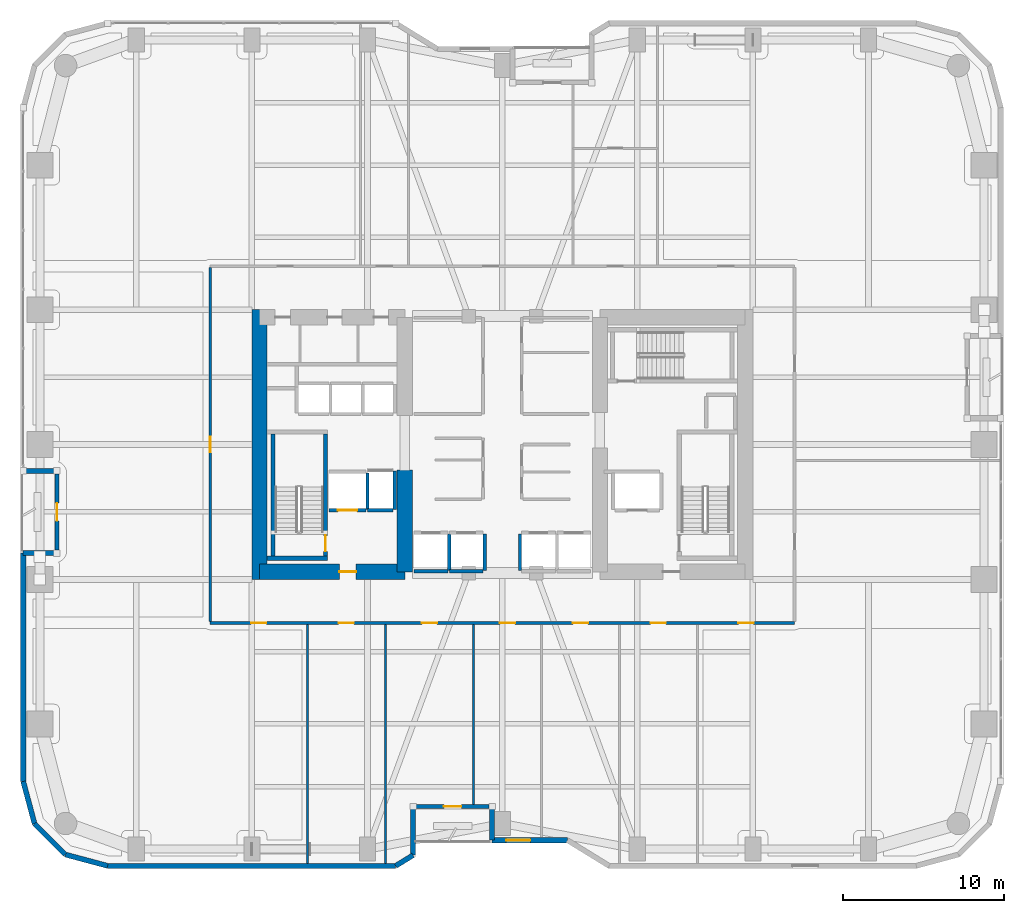
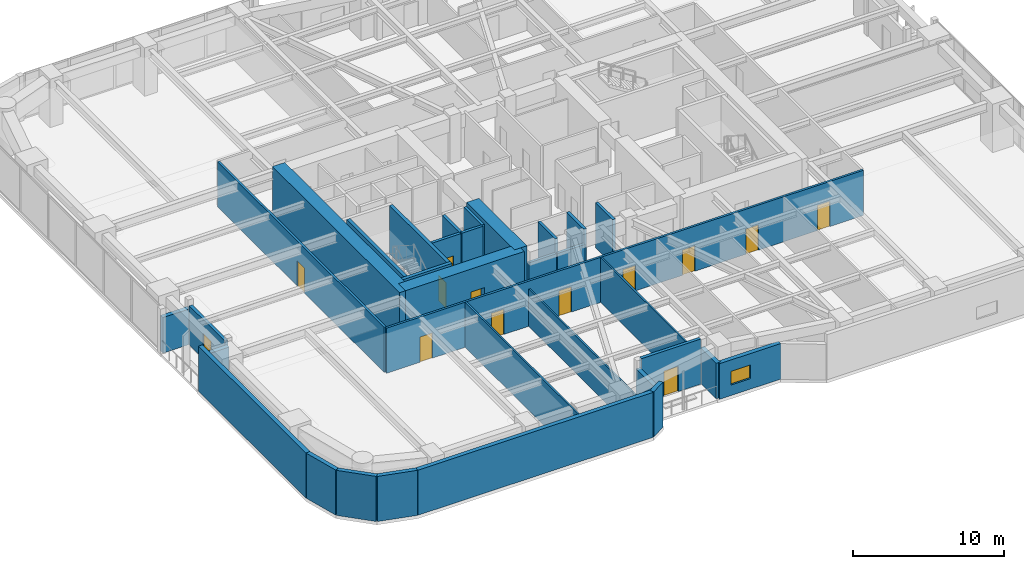
# One storey, part 22 of 29: 33 walls, 13 doors, 1 window, 14 openings.
"""IFC4 building model written with IfcOpenShell, lengths in metres."""

from ifc_helpers import new_model, si_unit, direction, frame, frame_2d, origin, place, context, subcontext, project, spatial, rectangle, extrude, material, layer, layer_set, type_object, element, fill, save


model = new_model("IFC4")

# Units and contexts
model_context = context("Model", 3, precision=1e-05, world=origin(), true_north=direction((0.0, 1.0)))
body_context = subcontext(model_context, "Body", "Model", "MODEL_VIEW")
ifc_project = project(units=[si_unit("LENGTHUNIT", "METRE"), si_unit("AREAUNIT", "SQUARE_METRE"), si_unit("VOLUMEUNIT", "CUBIC_METRE"), si_unit("PLANEANGLEUNIT", "RADIAN"), si_unit("MASSUNIT", "GRAM", prefix="KILO")], contexts=[model_context])

# Site, building, storey
site_placement = place(None, origin())
site = spatial("IfcSite", under=ifc_project, at=site_placement, CompositionType="ELEMENT")
building_placement = place(site_placement, origin())
building = spatial("IfcBuilding", under=site, at=building_placement, Name="Kiyonajd Concourse Tower", CompositionType="ELEMENT")
storey_placement = place(building_placement, frame((0.0, 0.0, 52.800048828125)))
storey = spatial("IfcBuildingStorey", under=building, at=storey_placement, Name="L14", CompositionType="ELEMENT", Elevation=52.800048828125)

# Walls
ifc_material_1 = material(Name="Concrete C80/95", Category="concrete")
ifc_layer_1 = layer(ifc_material_1, 0.949951171875)
ifc_layer_set_1 = layer_set([ifc_layer_1], Name="Concrete C80/95")
wall_type_1 = type_object("IfcWallType", Name="WL-CORE-950", PredefinedType="SHEAR", material=ifc_layer_set_1)
wall_1_placement = place(storey_placement, frame((32.875, 27.60009765625, 0.0), z_axis=(0.0, 0.0, 1.0), x_axis=(0.0, 1.0, 0.0)))
element("IfcWall", 1, at=wall_1_placement, inside=storey, type_object=wall_type_1, Name="L14 West Core Outer Shear Wall", PredefinedType="SHEAR", context=body_context, shape_type="SweptSolid", body=[
    extrude(rectangle(XDim=16.7998046875, YDim=0.949951171875, at=frame_2d((8.39990234375, 0.0))), origin(), (0.0, 0.0, 1.0), 3.89990234375),
])
wall_2_placement = place(storey_placement, frame((41.925048828125, 28.074951171875, 0.0), z_axis=(0.0, 0.0, 1.0), x_axis=(0.0, 1.0, 0.0)))
element("IfcWall", 2, at=wall_2_placement, inside=storey, type_object=wall_type_1, Name="L14 West Core Inner South Shear Wall", PredefinedType="SHEAR", context=body_context, shape_type="SweptSolid", body=[
    extrude(rectangle(XDim=6.324951171875, YDim=0.949951171875, at=frame_2d((3.16259765625, 0.0))), origin(), (0.0, 0.0, 1.0), 3.89990234375),
])

# Wall, opening, door
wall_3_placement = place(storey_placement, frame((32.875, 28.074951171875, 0.0), z_axis=(0.0, 0.0, 1.0), x_axis=(1.0, 0.0, 0.0)))
wall_3 = element("IfcWall", 3, at=wall_3_placement, inside=storey, type_object=wall_type_1, Name="L14 West Core South Shear Wall", PredefinedType="SHEAR", context=body_context, shape_type="SweptSolid", body=[
    extrude(rectangle(XDim=9.050048828125, YDim=0.949951171875, at=frame_2d((4.52490234375, 0.0))), origin(), (0.0, 0.0, 1.0), 3.89990234375),
])
opening_1_placement = place(wall_3_placement, frame((4.97509765625, 0.0, 0.0)))
opening_1 = element("IfcOpeningElement", 4, at=opening_1_placement, cuts=wall_3, Name="Opening DF5", PredefinedType="OPENING", context=body_context, shape_type="SweptSolid", body=[
    extrude(rectangle(XDim=1.050048828125, YDim=2.0400390625, at=frame_2d((0.52490234375, 1.02001953125))), frame((0.0, 0.48486328125, 0.0), z_axis=(0.0, -1.0, 0.0), x_axis=(1.0, 0.0, 0.0)), (0.0, 0.0, 1.0), 0.969970703125),
])
ifc_material_2 = material(Name="Brushed Stainless Steel Cab Assembly", Category="steel")
door_type_1 = type_object("IfcDoorType", Name="DR-FD45-1050", OperationType="NOTDEFINED", PredefinedType="DOOR", material=ifc_material_2)
door_1_placement = place(opening_1_placement, origin())
door_1 = element("IfcDoor", 5, at=door_1_placement, inside=storey, type_object=door_type_1, Name="L14 Firefighting Lift Lobby W Smoke Door", OperationType="SINGLE_SWING_LEFT", OverallHeight=2.0400390625, OverallWidth=1.050048828125, PredefinedType="DOOR", context=body_context, shape_type="SweptSolid", body=[
    extrude(rectangle(XDim=1.050048828125, YDim=2.0400390625, at=frame_2d((0.52490234375, 1.02001953125))), frame((0.0, 0.02490234375, 0.0), z_axis=(0.0, -1.0, 0.0), x_axis=(1.0, 0.0, 0.0)), (0.0, 0.0, 1.0), 0.050048828125),
])
fill(opening_1, door_1)

# Walls
ifc_material_3 = material(Name="Precast concrete C50/60", Category="concrete")
ifc_layer_2 = layer(ifc_material_3, 0.320068359375)
ifc_layer_set_2 = layer_set([ifc_layer_2], Name="Precast concrete C50/60")
wall_type_2 = type_object("IfcWallType", Name="WL-EXT-320", PredefinedType="SOLIDWALL", material=ifc_layer_set_2)
wall_4_placement = place(storey_placement, frame((18.866455078125, 12.3828125, 0.0), z_axis=(0.0, 0.0, 1.0), x_axis=(-0.25869736047, 0.965958423373, 0.0)))
element("IfcWall", 6, at=wall_4_placement, inside=storey, type_object=wall_type_2, Name="L14 Exterior Concrete Frame Wall 00", PredefinedType="SOLIDWALL", context=body_context, shape_type="SweptSolid", body=[
    extrude(rectangle(XDim=2.731201171875, YDim=0.320068359375, at=frame_2d((1.36572265625, 0.0))), origin(), (0.0, 0.0, 1.0), 3.639892578125),
])
wall_5_placement = place(storey_placement, frame((18.159912109375, 15.02099609375, 0.0), z_axis=(0.0, 0.0, 1.0), x_axis=(0.0, 1.0, 0.0)))
element("IfcWall", 7, at=wall_5_placement, inside=storey, type_object=wall_type_2, Name="L14 Exterior Concrete Frame Wall 01", PredefinedType="SOLIDWALL", context=body_context, shape_type="SweptSolid", body=[
    extrude(rectangle(XDim=14.218994140625, YDim=0.320068359375, at=frame_2d((7.109375, 0.0))), origin(), (0.0, 0.0, 1.0), 3.639892578125),
])
for number, where, z_axis, x_axis, name in (
    (8, (18.159912109375, 29.239990234375, 0.0), (0.0, 0.0, 1.0), (1.0, 0.0, 0.0), "L14 Exterior Concrete Frame Wall 02"),
    (9, (20.260009765625, 34.360107421875, 0.0), (0.0, 0.0, 1.0), (-1.0, 0.0, 0.0), "L14 Exterior Concrete Frame Wall 04"),
):
    element("IfcWall", number, at=place(storey_placement, frame(where, z_axis=z_axis, x_axis=x_axis)), inside=storey, type_object=wall_type_2, Name=name, PredefinedType="SOLIDWALL", context=body_context, shape_type="SweptSolid", body=[
        extrude(rectangle(XDim=2.10009765625, YDim=0.320068359375, at=frame_2d((1.050048828125, 0.0))), origin(), (0.0, 0.0, 1.0), 2.875),
    ])

# Wall, opening, window
wall_6_placement = place(storey_placement, frame((52.04541015625, 11.360107421875, 0.0), z_axis=(0.0, 0.0, 1.0), x_axis=(-1.0, 0.0, 0.0)))
wall_6 = element("IfcWall", 10, at=wall_6_placement, inside=storey, type_object=wall_type_2, Name="L14 Exterior Concrete Frame Wall 30", PredefinedType="SOLIDWALL", context=body_context, shape_type="SweptSolid", body=[
    extrude(rectangle(XDim=4.685302734375, YDim=0.320068359375, at=frame_2d((2.3427734375, 0.0))), origin(), (0.0, 0.0, 1.0), 2.875),
])
opening_2_placement = place(wall_6_placement, frame((2.304931640625, 0.0, 0.85009765625)))
opening_2 = element("IfcOpeningElement", 11, at=opening_2_placement, cuts=wall_6, Name="Opening WN2", PredefinedType="OPENING", context=body_context, shape_type="SweptSolid", body=[
    extrude(rectangle(XDim=1.5, YDim=1.10009765625, at=frame_2d((0.75, 0.550048828125))), frame((0.0, 0.169921875, 0.0), z_axis=(0.0, -1.0, 0.0), x_axis=(1.0, 0.0, 0.0)), (0.0, 0.0, 1.0), 0.340087890625),
])
ifc_material_4 = material(Name="Double Low-E Insulated Glass", Category="glass")
window_type = type_object("IfcWindowType", Name="WN-VIS-1500x1100", PartitioningType="SINGLE_PANEL", PredefinedType="WINDOW", material=ifc_material_4)
window_placement = place(opening_2_placement, origin())
window = element("IfcWindow", 12, at=window_placement, inside=storey, type_object=window_type, Name="L14 Modular Facade Vision Window 30", OverallHeight=1.10009765625, OverallWidth=1.5, PartitioningType="SINGLE_PANEL", PredefinedType="WINDOW", context=body_context, shape_type="SweptSolid", body=[
    extrude(rectangle(XDim=1.5, YDim=1.10009765625, at=frame_2d((0.75, 0.550048828125))), frame((0.0, 0.030029296875, 0.0), z_axis=(0.0, -1.0, 0.0), x_axis=(1.0, 0.0, 0.0)), (0.0, 0.0, 1.0), 0.06005859375),
])
fill(opening_2, window)

# Walls
wall_7_placement = place(storey_placement, frame((47.360107421875, 11.360107421875, 0.0), z_axis=(0.0, 0.0, 1.0), x_axis=(0.0, 1.0, 0.0)))
element("IfcWall", 13, at=wall_7_placement, inside=storey, type_object=wall_type_2, Name="L14 Exterior Concrete Frame Wall 31", PredefinedType="SOLIDWALL", context=body_context, shape_type="SweptSolid", body=[
    extrude(rectangle(XDim=2.099853515625, YDim=0.320068359375, at=frame_2d((1.0498046875, 0.0))), origin(), (0.0, 0.0, 1.0), 2.875),
])
wall_8_placement = place(storey_placement, frame((42.43994140625, 13.4599609375, 0.0), z_axis=(0.0, 0.0, 1.0), x_axis=(0.0, -1.0, 0.0)))
element("IfcWall", 14, at=wall_8_placement, inside=storey, type_object=wall_type_2, Name="L14 Exterior Concrete Frame Wall 33", PredefinedType="SOLIDWALL", context=body_context, shape_type="SweptSolid", body=[
    extrude(rectangle(XDim=3.032470703125, YDim=0.320068359375, at=frame_2d((1.51611328125, 0.0))), origin(), (0.0, 0.0, 1.0), 2.875),
])
wall_9_placement = place(storey_placement, frame((42.43994140625, 10.427490234375, 0.0), z_axis=(0.0, 0.0, 1.0), x_axis=(-0.851776724646, -0.523904964045, 0.0)))
element("IfcWall", 15, at=wall_9_placement, inside=storey, type_object=wall_type_2, Name="L14 Exterior Concrete Frame Wall 34", PredefinedType="SOLIDWALL", context=body_context, shape_type="SweptSolid", body=[
    extrude(rectangle(XDim=1.274169921875, YDim=0.320068359375, at=frame_2d((0.63720703125, 0.0))), origin(), (0.0, 0.0, 1.0), 3.639892578125),
])
wall_10_placement = place(storey_placement, frame((41.354736328125, 9.760009765625, 0.0), z_axis=(0.0, 0.0, 1.0), x_axis=(-1.0, 0.0, 0.0)))
element("IfcWall", 16, at=wall_10_placement, inside=storey, type_object=wall_type_2, Name="L14 Exterior Concrete Frame Wall 35", PredefinedType="SOLIDWALL", context=body_context, shape_type="SweptSolid", body=[
    extrude(rectangle(XDim=17.93359375, YDim=0.320068359375, at=frame_2d((8.966796875, 0.0))), origin(), (0.0, 0.0, 1.0), 3.639892578125),
])
wall_11_placement = place(storey_placement, frame((23.421142578125, 9.760009765625, 0.0), z_axis=(0.0, 0.0, 1.0), x_axis=(-0.965964405026, 0.25867502435, 0.0)))
element("IfcWall", 17, at=wall_11_placement, inside=storey, type_object=wall_type_2, Name="L14 Exterior Concrete Frame Wall 36", PredefinedType="SOLIDWALL", context=body_context, shape_type="SweptSolid", body=[
    extrude(rectangle(XDim=2.7314453125, YDim=0.320068359375, at=frame_2d((1.36572265625, 0.0))), origin(), (0.0, 0.0, 1.0), 3.639892578125),
])
wall_12_placement = place(storey_placement, frame((20.78271484375, 10.466552734375, 0.0), z_axis=(0.0, 0.0, 1.0), x_axis=(-0.707106781187, 0.707106781187, 0.0)))
element("IfcWall", 18, at=wall_12_placement, inside=storey, type_object=wall_type_2, Name="L14 Exterior Concrete Frame Wall 37", PredefinedType="SOLIDWALL", context=body_context, shape_type="SweptSolid", body=[
    extrude(rectangle(XDim=2.7099609375, YDim=0.320068359375, at=frame_2d((1.35498046875, 0.0))), origin(), (0.0, 0.0, 1.0), 3.639892578125),
])

# Wall, opening, door
ifc_layer_3 = layer(ifc_material_3, 0.239990234375)
ifc_layer_set_3 = layer_set([ifc_layer_3], Name="Precast concrete C50/60")
wall_type_3 = type_object("IfcWallType", Name="WL-LOG-240", PredefinedType="SOLIDWALL", material=ifc_layer_set_3)
wall_13_placement = place(storey_placement, frame((20.260009765625, 29.43505859375, 0.0), z_axis=(0.0, 0.0, 1.0), x_axis=(0.0, 1.0, 0.0)))
wall_13 = element("IfcWall", 19, at=wall_13_placement, inside=storey, type_object=wall_type_3, Name="L14 Recessed Loggia Thermal Wall LOG-W", PredefinedType="SOLIDWALL", context=body_context, shape_type="SweptSolid", body=[
    extrude(rectangle(XDim=4.72998046875, YDim=0.239990234375, at=frame_2d((2.364990234375, 0.0))), origin(), (0.0, 0.0, 1.0), 3.161865234375),
])
opening_3_placement = place(wall_13_placement, frame((1.81494140625, 0.0, 0.0)))
opening_3 = element("IfcOpeningElement", 20, at=opening_3_placement, cuts=wall_13, Name="Opening DL2", PredefinedType="OPENING", context=body_context, shape_type="SweptSolid", body=[
    extrude(rectangle(XDim=1.10009765625, YDim=2.0400390625, at=frame_2d((0.550048828125, 1.02001953125))), frame((0.0, 0.1298828125, 0.0), z_axis=(0.0, -1.0, 0.0), x_axis=(1.0, 0.0, 0.0)), (0.0, 0.0, 1.0), 0.260009765625),
])
ifc_material_5 = material(Name="Thermally Broken Anodised Aluminium", Category="aluminium")
door_type_2 = type_object("IfcDoorType", Name="DR-LOG-1100", OperationType="NOTDEFINED", PredefinedType="DOOR", material=ifc_material_5)
door_2_placement = place(opening_3_placement, origin())
door_2 = element("IfcDoor", 21, at=door_2_placement, inside=storey, type_object=door_type_2, Name="L14 Engawa Loggia Access Door LOG-W", OperationType="SINGLE_SWING_LEFT", OverallHeight=2.0400390625, OverallWidth=1.10009765625, PredefinedType="DOOR", context=body_context, shape_type="SweptSolid", body=[
    extrude(rectangle(XDim=1.10009765625, YDim=2.0400390625, at=frame_2d((0.550048828125, 1.02001953125))), frame((0.0, 0.02490234375, 0.0), z_axis=(0.0, -1.0, 0.0), x_axis=(1.0, 0.0, 0.0)), (0.0, 0.0, 1.0), 0.050048828125),
])
fill(opening_3, door_2)

wall_14_placement = place(storey_placement, frame((47.1650390625, 13.4599609375, 0.0), z_axis=(0.0, 0.0, 1.0), x_axis=(-1.0, 0.0, 0.0)))
wall_14 = element("IfcWall", 22, at=wall_14_placement, inside=storey, type_object=wall_type_3, Name="L14 Recessed Loggia Thermal Wall LOG-S", PredefinedType="SOLIDWALL", context=body_context, shape_type="SweptSolid", body=[
    extrude(rectangle(XDim=4.530029296875, YDim=0.239990234375, at=frame_2d((2.26513671875, 0.0))), origin(), (0.0, 0.0, 1.0), 3.639892578125),
])
opening_4_placement = place(wall_14_placement, frame((1.715087890625, 0.0, 0.0)))
opening_4 = element("IfcOpeningElement", 23, at=opening_4_placement, cuts=wall_14, Name="Opening DL2", PredefinedType="OPENING", context=body_context, shape_type="SweptSolid", body=[
    extrude(rectangle(XDim=1.10009765625, YDim=2.0400390625, at=frame_2d((0.550048828125, 1.02001953125))), frame((0.0, 0.1298828125, 0.0), z_axis=(0.0, -1.0, 0.0), x_axis=(1.0, 0.0, 0.0)), (0.0, 0.0, 1.0), 0.260009765625),
])
door_3_placement = place(opening_4_placement, origin())
door_3 = element("IfcDoor", 24, at=door_3_placement, inside=storey, type_object=door_type_2, Name="L14 Engawa Loggia Access Door LOG-S", OperationType="SINGLE_SWING_RIGHT", OverallHeight=2.0400390625, OverallWidth=1.10009765625, PredefinedType="DOOR", context=body_context, shape_type="SweptSolid", body=[
    extrude(rectangle(XDim=1.10009765625, YDim=2.0400390625, at=frame_2d((0.550048828125, 1.02001953125))), frame((0.0, 0.02490234375, 0.0), z_axis=(0.0, -1.0, 0.0), x_axis=(1.0, 0.0, 0.0)), (0.0, 0.0, 1.0), 0.050048828125),
])
fill(opening_4, door_3)

# Walls
ifc_material_6 = material(Name="Gypsum Board on Cold-Formed Steel Stud", Category="steel")
ifc_layer_4 = layer(ifc_material_6, 0.125)
ifc_layer_set_4 = layer_set([ifc_layer_4], Name="Gypsum Board on Cold-Formed Steel Stud")
wall_type_4 = type_object("IfcWallType", Name="WL-PART-125", PredefinedType="PARTITIONING", material=ifc_layer_set_4)
wall_15_placement = place(storey_placement, frame((35.860107421875, 9.9150390625, 0.0), z_axis=(0.0, 0.0, 1.0), x_axis=(0.0, 1.0, 0.0)))
element("IfcWall", 25, at=wall_15_placement, inside=storey, type_object=wall_type_4, Name="L14 Interior Partition Wall", PredefinedType="PARTITIONING", context=body_context, shape_type="SweptSolid", body=[
    extrude(rectangle(XDim=14.887939453125, YDim=0.125, at=frame_2d((7.44384765625, 0.0))), origin(), (0.0, 0.0, 1.0), 3.639892578125),
])
wall_16_placement = place(storey_placement, frame((40.7099609375, 9.9150390625, 0.0), z_axis=(0.0, 0.0, 1.0), x_axis=(0.0, 1.0, 0.0)))
element("IfcWall", 26, at=wall_16_placement, inside=storey, type_object=wall_type_4, Name="L14 Interior Partition Wall", PredefinedType="PARTITIONING", context=body_context, shape_type="SweptSolid", body=[
    extrude(rectangle(XDim=14.887939453125, YDim=0.125, at=frame_2d((7.44384765625, 0.0))), origin(), (0.0, 0.0, 1.0), 3.0029296875),
])
wall_17_placement = place(storey_placement, frame((46.199951171875, 13.574951171875, 0.0), z_axis=(0.0, 0.0, 1.0), x_axis=(0.0, 1.0, 0.0)))
element("IfcWall", 27, at=wall_17_placement, inside=storey, type_object=wall_type_4, Name="L14 Interior Partition Wall", PredefinedType="PARTITIONING", context=body_context, shape_type="SweptSolid", body=[
    extrude(rectangle(XDim=11.22802734375, YDim=0.125, at=frame_2d((5.614013671875, 0.0))), origin(), (0.0, 0.0, 1.0), 3.639892578125),
])

# Wall, opening, door
ifc_layer_5 = layer(ifc_material_6, 0.2099609375)
ifc_layer_set_5 = layer_set([ifc_layer_5], Name="Gypsum Board on Cold-Formed Steel Stud")
wall_type_5 = type_object("IfcWallType", Name="WL-SHAFT-210", PredefinedType="PARTITIONING", material=ifc_layer_set_5)
wall_18_placement = place(storey_placement, frame((37.199951171875, 31.89990234375, 0.0), z_axis=(0.0, 0.0, 1.0), x_axis=(1.0, 0.0, 0.0)))
wall_18 = element("IfcWall", 28, at=wall_18_placement, inside=storey, type_object=wall_type_5, Name="L14 Shaft Enclosure Wall", PredefinedType="PARTITIONING", context=body_context, shape_type="SweptSolid", body=[
    extrude(rectangle(XDim=2.300048828125, YDim=0.2099609375, at=frame_2d((1.14990234375, 0.0))), origin(), (0.0, 0.0, 1.0), 3.639892578125),
])
opening_5_placement = place(wall_18_placement, frame((0.550048828125, 0.0, 0.0)))
opening_5 = element("IfcOpeningElement", 29, at=opening_5_placement, cuts=wall_18, Name="Opening LD2", PredefinedType="OPENING", context=body_context, shape_type="SweptSolid", body=[
    extrude(rectangle(XDim=1.199951171875, YDim=2.0400390625, at=frame_2d((0.60009765625, 1.02001953125))), frame((0.0, 0.114990234375, 0.0), z_axis=(0.0, -1.0, 0.0), x_axis=(1.0, 0.0, 0.0)), (0.0, 0.0, 1.0), 0.22998046875),
])
door_type_3 = type_object("IfcDoorType", Name="DR-LD-1200", OperationType="DOUBLE_DOOR_SLIDING", PredefinedType="DOOR", material=ifc_material_2)
door_4_placement = place(opening_5_placement, origin())
door_4 = element("IfcDoor", 30, at=door_4_placement, inside=storey, type_object=door_type_3, Name="L14 Lift FFL1 Sliding Landing Door", OperationType="DOUBLE_DOOR_SLIDING", OverallHeight=2.0400390625, OverallWidth=1.199951171875, PredefinedType="DOOR", context=body_context, shape_type="SweptSolid", body=[
    extrude(rectangle(XDim=1.199951171875, YDim=2.0400390625, at=frame_2d((0.60009765625, 1.02001953125))), frame((0.0, 0.02490234375, 0.0), z_axis=(0.0, -1.0, 0.0), x_axis=(1.0, 0.0, 0.0)), (0.0, 0.0, 1.0), 0.050048828125),
])
fill(opening_5, door_4)

# Walls
wall_19_placement = place(storey_placement, frame((39.60009765625, 31.9599609375, 0.0), z_axis=(0.0, 0.0, 1.0), x_axis=(0.0, 1.0, 0.0)))
element("IfcWall", 31, at=wall_19_placement, inside=storey, type_object=wall_type_5, Name="L14 Shaft Enclosure Wall", PredefinedType="PARTITIONING", context=body_context, shape_type="SweptSolid", body=[
    extrude(rectangle(XDim=2.280029296875, YDim=0.2099609375, at=frame_2d((1.14013671875, 0.0))), origin(), (0.0, 0.0, 1.0), 3.639892578125),
])
wall_20_placement = place(storey_placement, frame((39.60009765625, 31.89990234375, 0.0), z_axis=(0.0, 0.0, 1.0), x_axis=(1.0, 0.0, 0.0)))
element("IfcWall", 32, at=wall_20_placement, inside=storey, type_object=wall_type_5, Name="L14 Shaft Enclosure Wall", PredefinedType="PARTITIONING", context=body_context, shape_type="SweptSolid", body=[
    extrude(rectangle(XDim=1.599853515625, YDim=0.2099609375, at=frame_2d((0.7998046875, 0.0))), origin(), (0.0, 0.0, 1.0), 3.639892578125),
])
wall_21_placement = place(storey_placement, frame((41.300048828125, 31.9599609375, 0.0), z_axis=(0.0, 0.0, 1.0), x_axis=(0.0, 1.0, 0.0)))
element("IfcWall", 33, at=wall_21_placement, inside=storey, type_object=wall_type_5, Name="L14 Shaft Enclosure Wall", PredefinedType="PARTITIONING", context=body_context, shape_type="SweptSolid", body=[
    extrude(rectangle(XDim=2.380126953125, YDim=0.2099609375, at=frame_2d((1.18994140625, 0.0))), origin(), (0.0, 0.0, 1.0), 3.639892578125),
])
wall_22_placement = place(storey_placement, frame((42.5, 28.10009765625, 0.0), z_axis=(0.0, 0.0, 1.0), x_axis=(1.0, 0.0, 0.0)))
element("IfcWall", 34, at=wall_22_placement, inside=storey, type_object=wall_type_5, Name="L14 Shaft Enclosure Wall", PredefinedType="PARTITIONING", context=body_context, shape_type="SweptSolid", body=[
    extrude(rectangle(XDim=2.10009765625, YDim=0.2099609375, at=frame_2d((1.050048828125, 0.0))), origin(), (0.0, 0.0, 1.0), 2.52490234375),
])
wall_23_placement = place(storey_placement, frame((44.699951171875, 28.159912109375, 0.0), z_axis=(0.0, 0.0, 1.0), x_axis=(0.0, 1.0, 0.0)))
element("IfcWall", 35, at=wall_23_placement, inside=storey, type_object=wall_type_5, Name="L14 Shaft Enclosure Wall", PredefinedType="PARTITIONING", context=body_context, shape_type="SweptSolid", body=[
    extrude(rectangle(XDim=2.280029296875, YDim=0.2099609375, at=frame_2d((1.14013671875, 0.0))), origin(), (0.0, 0.0, 1.0), 3.639892578125),
])
wall_24_placement = place(storey_placement, frame((44.699951171875, 28.10009765625, 0.0), z_axis=(0.0, 0.0, 1.0), x_axis=(1.0, 0.0, 0.0)))
element("IfcWall", 36, at=wall_24_placement, inside=storey, type_object=wall_type_5, Name="L14 Shaft Enclosure Wall", PredefinedType="PARTITIONING", context=body_context, shape_type="SweptSolid", body=[
    extrude(rectangle(XDim=2.10009765625, YDim=0.2099609375, at=frame_2d((1.050048828125, 0.0))), origin(), (0.0, 0.0, 1.0), 2.52490234375),
])
for number, where, z_axis, x_axis, name in (
    (37, (46.89990234375, 28.159912109375, 0.0), (0.0, 0.0, 1.0), (0.0, 1.0, 0.0), "L14 Shaft Enclosure Wall"),
    (38, (49.10009765625, 28.159912109375, 0.0), (0.0, 0.0, 1.0), (0.0, 1.0, 0.0), "L14 Shaft Enclosure Wall"),
):
    element("IfcWall", number, at=place(storey_placement, frame(where, z_axis=z_axis, x_axis=x_axis)), inside=storey, type_object=wall_type_5, Name=name, PredefinedType="PARTITIONING", context=body_context, shape_type="SweptSolid", body=[
        extrude(rectangle(XDim=2.280029296875, YDim=0.2099609375, at=frame_2d((1.14013671875, 0.0))), origin(), (0.0, 0.0, 1.0), 3.639892578125),
    ])

# Wall, openings, doors
ifc_layer_6 = layer(ifc_material_6, 0.169921875)
ifc_layer_set_6 = layer_set([ifc_layer_6], Name="Gypsum Board on Cold-Formed Steel Stud")
wall_type_6 = type_object("IfcWallType", Name="WL-SMK-170", PredefinedType="PARTITIONING", material=ifc_layer_set_6)
wall_25_placement = place(storey_placement, frame((29.800048828125, 24.889892578125, 0.0), z_axis=(0.0, 0.0, 1.0), x_axis=(1.0, 0.0, 0.0)))
wall_25 = element("IfcWall", 39, at=wall_25_placement, inside=storey, type_object=wall_type_6, Name="L14 Interior Partition Wall", PredefinedType="PARTITIONING", context=body_context, shape_type="SweptSolid", body=[
    extrude(rectangle(XDim=36.39990234375, YDim=0.169921875, at=frame_2d((18.199951171875, 0.0))), origin(), (0.0, 0.0, 1.0), 3.639892578125),
])
opening_6_placement = place(wall_25_placement, frame((2.554931640625, 0.0, 0.0)))
opening_6 = element("IfcOpeningElement", 40, at=opening_6_placement, cuts=wall_25, Name="Opening DI1", PredefinedType="OPENING", context=body_context, shape_type="SweptSolid", body=[
    extrude(rectangle(XDim=0.949951171875, YDim=2.0400390625, at=frame_2d((0.47509765625, 1.02001953125))), frame((0.0, 0.094970703125, 0.0), z_axis=(0.0, -1.0, 0.0), x_axis=(1.0, 0.0, 0.0)), (0.0, 0.0, 1.0), 0.18994140625),
])
opening_7_placement = place(wall_25_placement, frame((8.010009765625, 0.0, 0.0)))
opening_7 = element("IfcOpeningElement", 41, at=opening_7_placement, cuts=wall_25, Name="Opening DI1", PredefinedType="OPENING", context=body_context, shape_type="SweptSolid", body=[
    extrude(rectangle(XDim=0.949951171875, YDim=2.0400390625, at=frame_2d((0.47509765625, 1.02001953125))), frame((0.0, 0.094970703125, 0.0), z_axis=(0.0, -1.0, 0.0), x_axis=(1.0, 0.0, 0.0)), (0.0, 0.0, 1.0), 0.18994140625),
])
opening_8_placement = place(wall_25_placement, frame((13.179931640625, 0.0, 0.0)))
opening_8 = element("IfcOpeningElement", 42, at=opening_8_placement, cuts=wall_25, Name="Opening DI1", PredefinedType="OPENING", context=body_context, shape_type="SweptSolid", body=[
    extrude(rectangle(XDim=0.949951171875, YDim=2.0400390625, at=frame_2d((0.47509765625, 1.02001953125))), frame((0.0, 0.094970703125, 0.0), z_axis=(0.0, -1.0, 0.0), x_axis=(1.0, 0.0, 0.0)), (0.0, 0.0, 1.0), 0.18994140625),
])
opening_9_placement = place(wall_25_placement, frame((18.0400390625, 0.0, 0.0)))
opening_9 = element("IfcOpeningElement", 43, at=opening_9_placement, cuts=wall_25, Name="Opening DI1", PredefinedType="OPENING", context=body_context, shape_type="SweptSolid", body=[
    extrude(rectangle(XDim=0.949951171875, YDim=2.0400390625, at=frame_2d((0.47509765625, 1.02001953125))), frame((0.0, 0.094970703125, 0.0), z_axis=(0.0, -1.0, 0.0), x_axis=(1.0, 0.0, 0.0)), (0.0, 0.0, 1.0), 0.18994140625),
])
opening_10_placement = place(wall_25_placement, frame((22.5849609375, 0.0, 0.0)))
opening_10 = element("IfcOpeningElement", 44, at=opening_10_placement, cuts=wall_25, Name="Opening DI1", PredefinedType="OPENING", context=body_context, shape_type="SweptSolid", body=[
    extrude(rectangle(XDim=0.949951171875, YDim=2.0400390625, at=frame_2d((0.47509765625, 1.02001953125))), frame((0.0, 0.094970703125, 0.0), z_axis=(0.0, -1.0, 0.0), x_axis=(1.0, 0.0, 0.0)), (0.0, 0.0, 1.0), 0.18994140625),
])
opening_11_placement = place(wall_25_placement, frame((27.43994140625, 0.0, 0.0)))
opening_11 = element("IfcOpeningElement", 45, at=opening_11_placement, cuts=wall_25, Name="Opening DI1", PredefinedType="OPENING", context=body_context, shape_type="SweptSolid", body=[
    extrude(rectangle(XDim=0.949951171875, YDim=2.0400390625, at=frame_2d((0.47509765625, 1.02001953125))), frame((0.0, 0.094970703125, 0.0), z_axis=(0.0, -1.0, 0.0), x_axis=(1.0, 0.0, 0.0)), (0.0, 0.0, 1.0), 0.18994140625),
])
opening_12_placement = place(wall_25_placement, frame((32.89501953125, 0.0, 0.0)))
opening_12 = element("IfcOpeningElement", 46, at=opening_12_placement, cuts=wall_25, Name="Opening DI1", PredefinedType="OPENING", context=body_context, shape_type="SweptSolid", body=[
    extrude(rectangle(XDim=0.949951171875, YDim=2.0400390625, at=frame_2d((0.47509765625, 1.02001953125))), frame((0.0, 0.094970703125, 0.0), z_axis=(0.0, -1.0, 0.0), x_axis=(1.0, 0.0, 0.0)), (0.0, 0.0, 1.0), 0.18994140625),
])
ifc_material_7 = material(Name="Natural Oak Acoustic Timber Veneer", Category="wood")
door_type_4 = type_object("IfcDoorType", Name="DR-INT-950", OperationType="NOTDEFINED", PredefinedType="DOOR", material=ifc_material_7)
door_5_placement = place(opening_6_placement, origin())
door_5 = element("IfcDoor", 47, at=door_5_placement, inside=storey, type_object=door_type_4, Name="L14 Interior Door", OperationType="SINGLE_SWING_LEFT", OverallHeight=2.0400390625, OverallWidth=0.949951171875, PredefinedType="DOOR", context=body_context, shape_type="SweptSolid", body=[
    extrude(rectangle(XDim=0.949951171875, YDim=2.0400390625, at=frame_2d((0.47509765625, 1.02001953125))), frame((0.0, 0.02490234375, 0.0), z_axis=(0.0, -1.0, 0.0), x_axis=(1.0, 0.0, 0.0)), (0.0, 0.0, 1.0), 0.050048828125),
])
fill(opening_6, door_5)
door_6_placement = place(opening_7_placement, origin())
door_6 = element("IfcDoor", 48, at=door_6_placement, inside=storey, type_object=door_type_4, Name="L14 Interior Door", OperationType="SINGLE_SWING_RIGHT", OverallHeight=2.0400390625, OverallWidth=0.949951171875, PredefinedType="DOOR", context=body_context, shape_type="SweptSolid", body=[
    extrude(rectangle(XDim=0.949951171875, YDim=2.0400390625, at=frame_2d((0.47509765625, 1.02001953125))), frame((0.0, 0.02490234375, 0.0), z_axis=(0.0, -1.0, 0.0), x_axis=(1.0, 0.0, 0.0)), (0.0, 0.0, 1.0), 0.050048828125),
])
fill(opening_7, door_6)
door_7_placement = place(opening_8_placement, origin())
door_7 = element("IfcDoor", 49, at=door_7_placement, inside=storey, type_object=door_type_4, Name="L14 Interior Door", OperationType="SINGLE_SWING_LEFT", OverallHeight=2.0400390625, OverallWidth=0.949951171875, PredefinedType="DOOR", context=body_context, shape_type="SweptSolid", body=[
    extrude(rectangle(XDim=0.949951171875, YDim=2.0400390625, at=frame_2d((0.47509765625, 1.02001953125))), frame((0.0, 0.02490234375, 0.0), z_axis=(0.0, -1.0, 0.0), x_axis=(1.0, 0.0, 0.0)), (0.0, 0.0, 1.0), 0.050048828125),
])
fill(opening_8, door_7)
door_8_placement = place(opening_9_placement, origin())
door_8 = element("IfcDoor", 50, at=door_8_placement, inside=storey, type_object=door_type_4, Name="L14 Interior Door", OperationType="SINGLE_SWING_RIGHT", OverallHeight=2.0400390625, OverallWidth=0.949951171875, PredefinedType="DOOR", context=body_context, shape_type="SweptSolid", body=[
    extrude(rectangle(XDim=0.949951171875, YDim=2.0400390625, at=frame_2d((0.47509765625, 1.02001953125))), frame((0.0, 0.02490234375, 0.0), z_axis=(0.0, -1.0, 0.0), x_axis=(1.0, 0.0, 0.0)), (0.0, 0.0, 1.0), 0.050048828125),
])
fill(opening_9, door_8)
door_9_placement = place(opening_10_placement, origin())
door_9 = element("IfcDoor", 51, at=door_9_placement, inside=storey, type_object=door_type_4, Name="L14 Interior Door", OperationType="SINGLE_SWING_LEFT", OverallHeight=2.0400390625, OverallWidth=0.949951171875, PredefinedType="DOOR", context=body_context, shape_type="SweptSolid", body=[
    extrude(rectangle(XDim=0.949951171875, YDim=2.0400390625, at=frame_2d((0.47509765625, 1.02001953125))), frame((0.0, 0.02490234375, 0.0), z_axis=(0.0, -1.0, 0.0), x_axis=(1.0, 0.0, 0.0)), (0.0, 0.0, 1.0), 0.050048828125),
])
fill(opening_10, door_9)
door_10_placement = place(opening_11_placement, origin())
door_10 = element("IfcDoor", 52, at=door_10_placement, inside=storey, type_object=door_type_4, Name="L14 Interior Door", OperationType="SINGLE_SWING_RIGHT", OverallHeight=2.0400390625, OverallWidth=0.949951171875, PredefinedType="DOOR", context=body_context, shape_type="SweptSolid", body=[
    extrude(rectangle(XDim=0.949951171875, YDim=2.0400390625, at=frame_2d((0.47509765625, 1.02001953125))), frame((0.0, 0.02490234375, 0.0), z_axis=(0.0, -1.0, 0.0), x_axis=(1.0, 0.0, 0.0)), (0.0, 0.0, 1.0), 0.050048828125),
])
fill(opening_11, door_10)
door_11_placement = place(opening_12_placement, origin())
door_11 = element("IfcDoor", 53, at=door_11_placement, inside=storey, type_object=door_type_4, Name="L14 Interior Door", OperationType="SINGLE_SWING_LEFT", OverallHeight=2.0400390625, OverallWidth=0.949951171875, PredefinedType="DOOR", context=body_context, shape_type="SweptSolid", body=[
    extrude(rectangle(XDim=0.949951171875, YDim=2.0400390625, at=frame_2d((0.47509765625, 1.02001953125))), frame((0.0, 0.02490234375, 0.0), z_axis=(0.0, -1.0, 0.0), x_axis=(1.0, 0.0, 0.0)), (0.0, 0.0, 1.0), 0.050048828125),
])
fill(opening_12, door_11)

# Wall, opening, door
wall_26_placement = place(storey_placement, frame((29.800048828125, 24.97705078125, 0.0), z_axis=(0.0, 0.0, 1.0), x_axis=(0.0, 1.0, 0.0)))
wall_26 = element("IfcWall", 54, at=wall_26_placement, inside=storey, type_object=wall_type_6, Name="L14 Interior Partition Wall", PredefinedType="PARTITIONING", context=body_context, shape_type="SweptSolid", body=[
    extrude(rectangle(XDim=22.0458984375, YDim=0.169921875, at=frame_2d((11.02294921875, 0.0))), origin(), (0.0, 0.0, 1.0), 3.639892578125),
])
opening_13_placement = place(wall_26_placement, frame((10.548095703125, 0.0, 0.0)))
opening_13 = element("IfcOpeningElement", 55, at=opening_13_placement, cuts=wall_26, Name="Opening DI1", PredefinedType="OPENING", context=body_context, shape_type="SweptSolid", body=[
    extrude(rectangle(XDim=0.949951171875, YDim=2.0400390625, at=frame_2d((0.47509765625, 1.02001953125))), frame((0.0, 0.094970703125, 0.0), z_axis=(0.0, -1.0, 0.0), x_axis=(1.0, 0.0, 0.0)), (0.0, 0.0, 1.0), 0.18994140625),
])
door_12_placement = place(opening_13_placement, origin())
door_12 = element("IfcDoor", 56, at=door_12_placement, inside=storey, type_object=door_type_4, Name="L14 Interior Door", OperationType="SINGLE_SWING_RIGHT", OverallHeight=2.0400390625, OverallWidth=0.949951171875, PredefinedType="DOOR", context=body_context, shape_type="SweptSolid", body=[
    extrude(rectangle(XDim=0.949951171875, YDim=2.0400390625, at=frame_2d((0.47509765625, 1.02001953125))), frame((0.0, 0.02490234375, 0.0), z_axis=(0.0, -1.0, 0.0), x_axis=(1.0, 0.0, 0.0)), (0.0, 0.0, 1.0), 0.050048828125),
])
fill(opening_13, door_12)

# Walls
ifc_material_8 = material(Name="Concrete C50/60", Category="concrete")
ifc_layer_7 = layer(ifc_material_8, 0.260009765625)
ifc_layer_set_7 = layer_set([ifc_layer_7], Name="Concrete C50/60")
wall_type_7 = type_object("IfcWallType", Name="WL-STAIR-260", PredefinedType="SHEAR", material=ifc_layer_set_7)
wall_27_placement = place(storey_placement, frame((33.35009765625, 28.919921875, 0.0), z_axis=(0.0, 0.0, 1.0), x_axis=(1.0, 0.0, 0.0)))
element("IfcWall", 57, at=wall_27_placement, inside=storey, type_object=wall_type_7, Name="L14 Stair ST1 Structural South Wall", PredefinedType="SHEAR", context=body_context, shape_type="SweptSolid", body=[
    extrude(rectangle(XDim=3.760009765625, YDim=0.260009765625, at=frame_2d((1.8798828125, 0.0))), origin(), (0.0, 0.0, 1.0), 3.89990234375),
])
wall_28_placement = place(storey_placement, frame((33.719970703125, 29.050048828125, 0.0), z_axis=(0.0, 0.0, 1.0), x_axis=(0.0, 1.0, 0.0)))
element("IfcWall", 58, at=wall_28_placement, inside=storey, type_object=wall_type_7, Name="L14 Stair ST1 Structural West Wall", PredefinedType="SHEAR", context=body_context, shape_type="SweptSolid", body=[
    extrude(rectangle(XDim=7.599853515625, YDim=0.260009765625, at=frame_2d((3.7998046875, 0.0))), origin(), (0.0, 0.0, 1.0), 3.89990234375),
])

# Wall, opening, door
wall_29_placement = place(storey_placement, frame((36.97998046875, 29.050048828125, 0.0), z_axis=(0.0, 0.0, 1.0), x_axis=(0.0, 1.0, 0.0)))
wall_29 = element("IfcWall", 59, at=wall_29_placement, inside=storey, type_object=wall_type_7, Name="L14 Stair ST1 Structural East Wall", PredefinedType="SHEAR", context=body_context, shape_type="SweptSolid", body=[
    extrude(rectangle(XDim=7.599853515625, YDim=0.260009765625, at=frame_2d((3.7998046875, 0.0))), origin(), (0.0, 0.0, 1.0), 3.89990234375),
])
opening_14_placement = place(wall_29_placement, frame((0.300048828125, 0.0, 0.0)))
opening_14 = element("IfcOpeningElement", 60, at=opening_14_placement, cuts=wall_29, Name="Opening DF1", PredefinedType="OPENING", context=body_context, shape_type="SweptSolid", body=[
    extrude(rectangle(XDim=1.0, YDim=2.0400390625, at=frame_2d((0.5, 1.02001953125))), frame((0.0, 0.139892578125, 0.0), z_axis=(0.0, -1.0, 0.0), x_axis=(1.0, 0.0, 0.0)), (0.0, 0.0, 1.0), 0.280029296875),
])
door_type_5 = type_object("IfcDoorType", Name="DR-FD90-1000", OperationType="NOTDEFINED", PredefinedType="DOOR", material=ifc_material_2)
door_13_placement = place(opening_14_placement, origin())
door_13 = element("IfcDoor", 61, at=door_13_placement, inside=storey, type_object=door_type_5, Name="L14 Stair ST1 FSAE Door", OperationType="SINGLE_SWING_LEFT", OverallHeight=2.0400390625, OverallWidth=1.0, PredefinedType="DOOR", context=body_context, shape_type="SweptSolid", body=[
    extrude(rectangle(XDim=1.0, YDim=2.0400390625, at=frame_2d((0.5, 1.02001953125))), frame((0.0, 0.02490234375, 0.0), z_axis=(0.0, -1.0, 0.0), x_axis=(1.0, 0.0, 0.0)), (0.0, 0.0, 1.0), 0.050048828125),
])
fill(opening_14, door_13)

save(model, "model.ifc")
